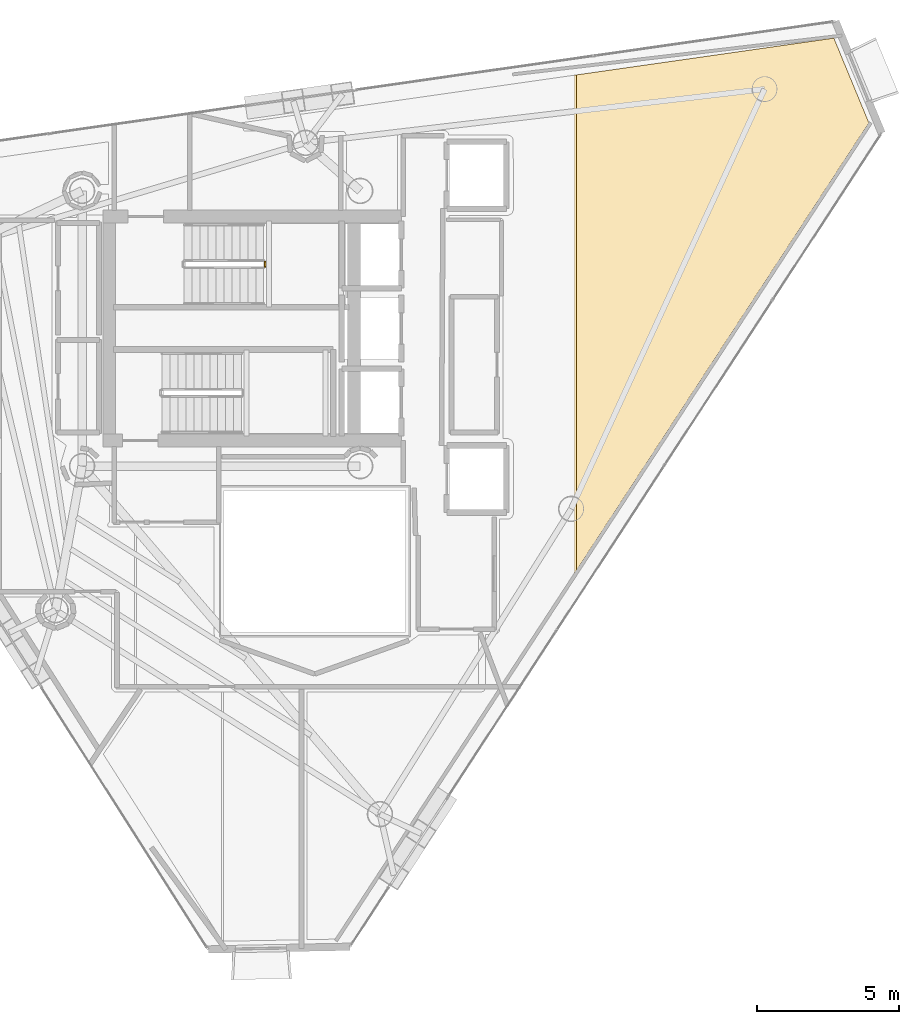
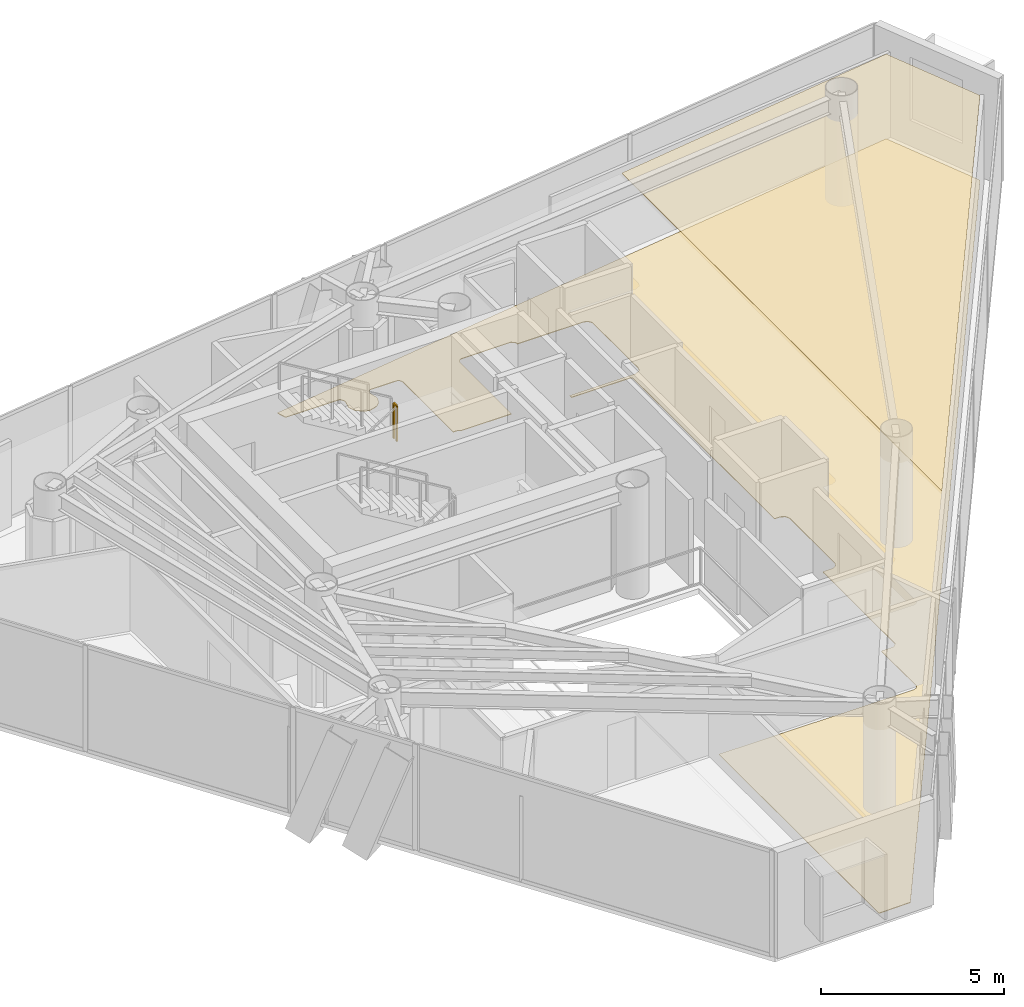
# One storey, part 25 of 25: 2 coverings, 1 railing.
"""IFC4 building model written with IfcOpenShell, lengths in metres."""

from ifc_helpers import new_model, si_unit, direction, frame, origin, origin_2d, place, context, subcontext, project, spatial, polyline, rectangle, outline, extrude, material, layer, layer_set, type_object, element, save


model = new_model("IFC4")

# Units and contexts
model_context = context("Model", 3, precision=1e-05, world=origin(), true_north=direction((0.0, 1.0)))
body_context = subcontext(model_context, "Body", "Model", "MODEL_VIEW")
ifc_project = project(units=[si_unit("LENGTHUNIT", "METRE"), si_unit("AREAUNIT", "SQUARE_METRE"), si_unit("VOLUMEUNIT", "CUBIC_METRE"), si_unit("PLANEANGLEUNIT", "RADIAN"), si_unit("MASSUNIT", "GRAM", prefix="KILO")], contexts=[model_context])

# Site, building, storey
site_placement = place(None, origin())
site = spatial("IfcSite", under=ifc_project, at=site_placement, CompositionType="ELEMENT")
building_placement = place(site_placement, origin())
building = spatial("IfcBuilding", under=site, at=building_placement, Name="Qianvela Tower", CompositionType="ELEMENT")
storey_placement = place(building_placement, frame((0.0, 0.0, 291.699951171875)))
storey = spatial("IfcBuildingStorey", under=building, at=storey_placement, Name="L75", CompositionType="ELEMENT", Elevation=291.699951171875)

# Coverings
ifc_material_1 = material(Name="Perforated Mineral Acoustic Ceiling Tile")
ifc_layer_1 = layer(ifc_material_1, 0.02490234375)
ifc_layer_set_1 = layer_set([ifc_layer_1], Name="Perforated Mineral Acoustic Ceiling Tile")
covering_type_1 = type_object("IfcCoveringType", Name="COV-CEIL-ACOUSTIC-25", PredefinedType="CEILING", material=ifc_layer_set_1)
covering_1_placement = place(storey_placement, frame((0.0, 0.0, 2.81494140625)))
element("IfcCovering", 1, at=covering_1_placement, inside=storey, type_object=covering_type_1, Name="L75 Acoustic Ceiling Bay 2 Campus Convenience Shop L75-03", PredefinedType="CEILING", context=body_context, shape_type="SweptSolid", body=[
    extrude(outline(polyline([(55.0888671875, 38.930908203125), (56.322509765625, 35.9462890625), (46.025390625, 20.19091796875), (46.025390625, 37.63671875), (55.0888671875, 38.930908203125)])), origin(), (0.0, 0.0, 1.0), 0.025146484375),
])
ifc_material_2 = material(Name="Engineered Acoustic Oak Timber Flooring", Category="wood")
ifc_layer_2 = layer(ifc_material_2, 0.02001953125)
ifc_layer_set_2 = layer_set([ifc_layer_2], Name="Engineered Acoustic Oak Timber Flooring")
covering_type_2 = type_object("IfcCoveringType", Name="COV-FLOOR-OAK-20", PredefinedType="FLOORING", material=ifc_layer_set_2)
covering_2_placement = place(storey_placement, origin())
element("IfcCovering", 2, at=covering_2_placement, inside=storey, type_object=covering_type_2, Name="L75 Finish Flooring Campus Convenience Shop L75-03", PredefinedType="FLOORING", context=body_context, shape_type="SweptSolid", body=[
    extrude(outline(polyline([(42.7373046875, 15.91943359375), (42.744384765625, 15.9228515625), (42.7509765625, 15.927001953125), (42.75732421875, 15.931640625), (42.76318359375, 15.93701171875), (42.768310546875, 15.942626953125), (42.773193359375, 15.948974609375), (42.777099609375, 15.955810546875), (42.780517578125, 15.962890625), (42.803955078125, 16.019287109375), (42.806640625, 16.02685546875), (42.80859375, 16.034423828125), (42.8095703125, 16.042236328125), (42.81005859375, 16.050048828125), (42.8076171875, 17.920166015625), (43.157958984375, 17.92041015625), (43.165771484375, 17.9208984375), (43.173583984375, 17.921875), (43.18115234375, 17.923828125), (43.1884765625, 17.926513671875), (43.195556640625, 17.9296875), (43.202392578125, 17.933837890625), (43.20849609375, 17.938720703125), (43.21435546875, 17.94384765625), (43.2861328125, 18.015625), (43.29150390625, 18.021484375), (43.296142578125, 18.027587890625), (43.30029296875, 18.034423828125), (43.303466796875, 18.04150390625), (43.30615234375, 18.048828125), (43.30810546875, 18.056640625), (43.30908203125, 18.064208984375), (43.3095703125, 18.072265625), (43.309326171875, 21.980712890625), (43.60791015625, 21.982666015625), (43.615478515625, 21.983154296875), (43.623291015625, 21.984375), (43.630859375, 21.986083984375), (43.637939453125, 21.98876953125), (43.64501953125, 21.9921875), (43.716796875, 22.030517578125), (43.723388671875, 22.034423828125), (43.729736328125, 22.039306640625), (43.735595703125, 22.04443359375), (43.74072265625, 22.05029296875), (43.74560546875, 22.056640625), (43.74951171875, 22.063232421875), (43.787841796875, 22.135009765625), (43.791259765625, 22.14208984375), (43.7939453125, 22.1494140625), (43.7958984375, 22.156982421875), (43.796875, 22.164794921875), (43.79736328125, 22.172607421875), (43.79931640625, 24.61376953125), (43.799072265625, 24.62060546875), (43.798095703125, 24.627685546875), (43.79638671875, 24.634765625), (43.79443359375, 24.641357421875), (43.79150390625, 24.64794921875), (43.751220703125, 24.733154296875), (43.74755859375, 24.739990234375), (43.743408203125, 24.74658203125), (43.73828125, 24.752685546875), (43.732666015625, 24.75830078125), (43.726806640625, 24.76318359375), (43.72021484375, 24.767578125), (43.713134765625, 24.771240234375), (43.6279296875, 24.8115234375), (43.619873046875, 24.81494140625), (43.611328125, 24.8173828125), (43.6025390625, 24.81884765625), (43.59375, 24.8193359375), (43.423828125, 24.8193359375), (43.423828125, 24.8193359375), (43.426513671875, 24.826904296875), (43.428466796875, 24.83447265625), (43.4296875, 24.84228515625), (43.429931640625, 24.85009765625), (43.429931640625, 32.5), (43.4296875, 32.5078125), (43.428466796875, 32.515625), (43.426513671875, 32.523193359375), (43.423828125, 32.530517578125), (43.420654296875, 32.53759765625), (43.41650390625, 32.54443359375), (43.411865234375, 32.55078125), (43.406494140625, 32.556640625), (43.40087890625, 32.561767578125), (43.394287109375, 32.56640625), (43.3876953125, 32.570556640625), (43.380615234375, 32.573974609375), (43.373291015625, 32.57666015625), (43.365478515625, 32.57861328125), (43.35791015625, 32.57958984375), (43.35009765625, 32.580078125), (41.52001953125, 32.580078125), (41.52001953125, 32.679931640625), (43.580078125, 32.679931640625), (43.587158203125, 32.680419921875), (43.593994140625, 32.68115234375), (43.60107421875, 32.682861328125), (43.607666015625, 32.684814453125), (43.6142578125, 32.687744140625), (43.722412109375, 32.739013671875), (43.729248046875, 32.74267578125), (43.73583984375, 32.746826171875), (43.741943359375, 32.751953125), (43.74755859375, 32.757568359375), (43.75244140625, 32.763427734375), (43.7568359375, 32.77001953125), (43.760498046875, 32.777099609375), (43.763427734375, 32.7841796875), (43.79541015625, 32.873046875), (43.79736328125, 32.879638671875), (43.798828125, 32.886474609375), (43.7998046875, 32.893310546875), (43.800048828125, 32.900390625), (43.789306640625, 35.35400390625), (43.788818359375, 35.36181640625), (43.787841796875, 35.369384765625), (43.785888671875, 35.376953125), (43.783203125, 35.38427734375), (43.77978515625, 35.391357421875), (43.77587890625, 35.398193359375), (43.771240234375, 35.404296875), (43.719482421875, 35.46728515625), (43.71435546875, 35.472900390625), (43.70849609375, 35.478271484375), (43.7021484375, 35.48291015625), (43.695556640625, 35.487060546875), (43.6884765625, 35.490234375), (43.680908203125, 35.492919921875), (43.603271484375, 35.5166015625), (43.595703125, 35.5185546875), (43.587890625, 35.51953125), (43.580078125, 35.52001953125), (41.515625, 35.52001953125), (41.513916015625, 35.554931640625), (41.512939453125, 35.562744140625), (41.511474609375, 35.5703125), (41.509033203125, 35.577880859375), (41.506103515625, 35.585205078125), (41.50244140625, 35.591796875), (41.498046875, 35.598388671875), (41.4931640625, 35.6044921875), (41.487548828125, 35.60986328125), (41.481689453125, 35.614990234375), (41.41552734375, 35.663818359375), (41.409423828125, 35.66796875), (41.40283203125, 35.67138671875), (41.396240234375, 35.67431640625), (41.38916015625, 35.6767578125), (41.382080078125, 35.67822265625), (41.374755859375, 35.67919921875), (41.367431640625, 35.6796875), (39.841796875, 35.670654296875), (39.83349609375, 35.670166015625), (39.825439453125, 35.668701171875), (39.817626953125, 35.666748046875), (39.81005859375, 35.663818359375), (39.802490234375, 35.659912109375), (39.795654296875, 35.655517578125), (39.789306640625, 35.650390625), (39.783447265625, 35.644775390625), (39.7783203125, 35.638427734375), (39.773681640625, 35.631591796875), (39.7314453125, 35.56103515625), (39.727294921875, 35.553466796875), (39.72412109375, 35.54541015625), (39.721923828125, 35.537109375), (39.720458984375, 35.528564453125), (39.719970703125, 35.52001953125), (39.719970703125, 32.719970703125), (38.129150390625, 32.719970703125), (38.068115234375, 32.756103515625), (38.060791015625, 32.760009765625), (38.052978515625, 32.76318359375), (38.044921875, 32.765380859375), (38.03662109375, 32.766845703125), (38.0283203125, 32.767333984375), (37.907470703125, 32.768798828125), (37.909912109375, 35.5), (37.90966796875, 35.507080078125), (37.90869140625, 35.513916015625), (37.9072265625, 35.52099609375), (37.905029296875, 35.527587890625), (37.90234375, 35.5341796875), (37.873046875, 35.595947265625), (37.869140625, 35.603271484375), (37.864501953125, 35.610107421875), (37.859375, 35.6162109375), (37.853515625, 35.6220703125), (37.84716796875, 35.626953125), (37.840087890625, 35.63134765625), (37.8330078125, 35.635009765625), (37.8251953125, 35.637939453125), (37.8173828125, 35.64013671875), (37.809326171875, 35.641357421875), (37.80126953125, 35.641845703125), (36.982421875, 35.64599609375), (36.974365234375, 35.645751953125), (36.96630859375, 35.64453125), (36.95849609375, 35.642578125), (36.950927734375, 35.639892578125), (36.94384765625, 35.636474609375), (36.93701171875, 35.63232421875), (36.930419921875, 35.62744140625), (36.9248046875, 35.6220703125), (36.919189453125, 35.615966796875), (36.914794921875, 35.609619140625), (36.91064453125, 35.6025390625), (36.875732421875, 35.5341796875), (36.87255859375, 35.527099609375), (36.8701171875, 35.51953125), (36.8681640625, 35.511962890625), (36.8671875, 35.504150390625), (36.866943359375, 35.49609375), (36.86767578125, 35.48828125), (36.868896484375, 35.48046875), (36.92431640625, 35.23291015625), (36.91748046875, 35.163330078125), (36.84765625, 34.99462890625), (36.72705078125, 34.874267578125), (36.4755859375, 34.796142578125), (36.305419921875, 34.830078125), (36.10302734375, 34.998291015625), (36.03466796875, 35.163330078125), (36.02783203125, 35.23291015625), (36.0830078125, 35.48046875), (36.08447265625, 35.48779296875), (36.0849609375, 35.4951171875), (36.0849609375, 35.502685546875), (36.083984375, 35.510009765625), (36.08251953125, 35.517333984375), (36.08056640625, 35.5244140625), (36.07763671875, 35.53125), (36.07421875, 35.537841796875), (36.03271484375, 35.610107421875), (36.028564453125, 35.61669921875), (36.02392578125, 35.62255859375), (36.0185546875, 35.6279296875), (36.012939453125, 35.633056640625), (36.0068359375, 35.637451171875), (36.000244140625, 35.64111328125), (35.993408203125, 35.644287109375), (35.986083984375, 35.64697265625), (35.978759765625, 35.648681640625), (35.97119140625, 35.64990234375), (35.9638671875, 35.650146484375), (34.30078125, 35.65966796875), (34.208740234375, 35.94921875), (55.0888671875, 38.930908203125), (56.322509765625, 35.9462890625), (37.52587890625, 7.18603515625), (36.52294921875, 7.166748046875), (36.52294921875, 15.889892578125), (42.64990234375, 15.889892578125), (42.65771484375, 15.890380859375), (42.66552734375, 15.8916015625), (42.673095703125, 15.893310546875), (42.6806640625, 15.89599609375), (42.7373046875, 15.91943359375)])), origin(), (0.0, 0.0, 1.0), 0.02001953125),
])

# Railing
ifc_material_3 = material(Name="Painted Tubular Steel Q355B", Category="steel")
railing_type = type_object("IfcRailingType", Name="RL-STAIR-GUARD-1200", PredefinedType="GUARDRAIL", material=ifc_material_3)
railing_placement = place(storey_placement, frame((35.050048828125, 30.889892578125, 1.85009765625)))
element("IfcRailing", 3, at=railing_placement, inside=storey, type_object=railing_type, Name="L75 ST-1 stair guard 2", PredefinedType="GUARDRAIL", context=body_context, shape_type="SweptSolid", body=[
    extrude(rectangle(XDim=0.050048828125, YDim=0.0400390625, at=origin_2d()), frame((0.0, 0.0, 1.179931640625), z_axis=(0.0, 1.0, 0.0), x_axis=(-1.0, 0.0, 0.0)), (0.0, 0.0, 1.0), 0.16015625),
    extrude(rectangle(XDim=0.050048828125, YDim=0.050048828125, at=origin_2d()), origin(), (0.0, 0.0, 1.0), 1.159912109375),
    extrude(rectangle(XDim=0.050048828125, YDim=0.050048828125, at=origin_2d()), frame((0.0, 0.16015625, 0.0)), (0.0, 0.0, 1.0), 1.159912109375),
])

save(model, "model.ifc")
